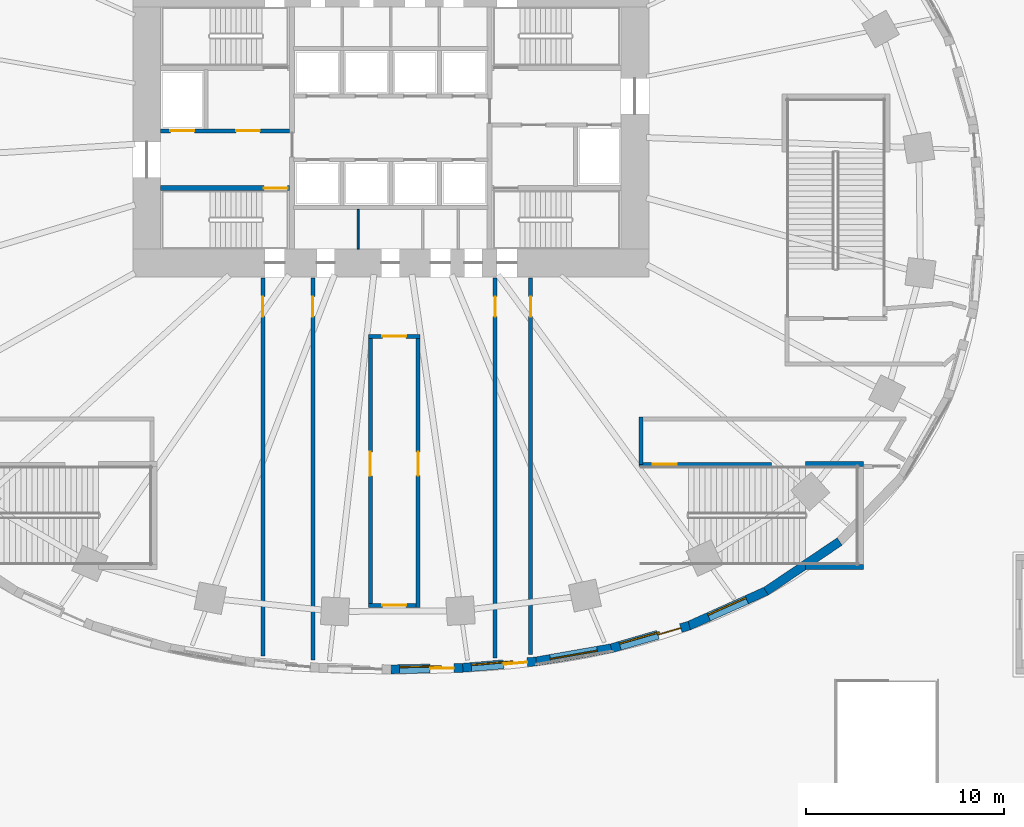
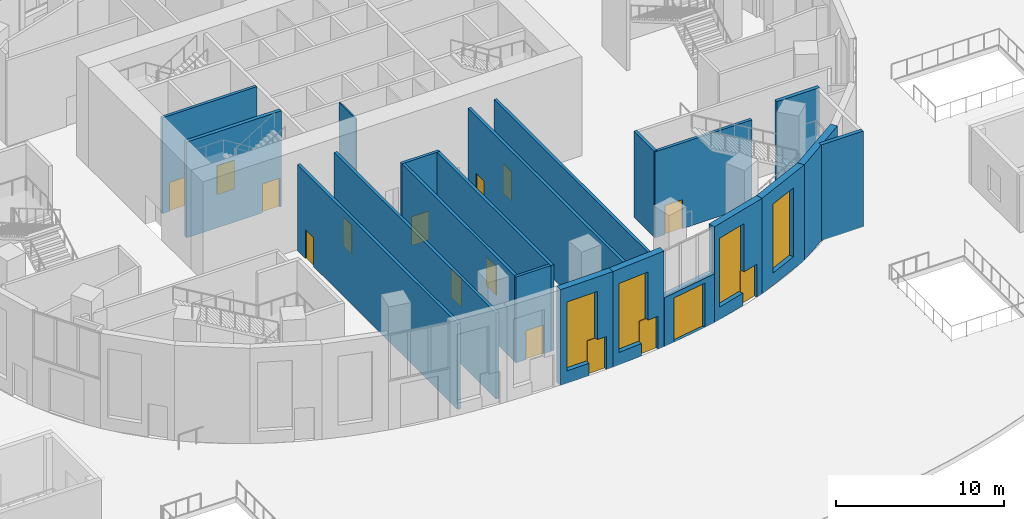
# One storey, part 12 of 27: 21 walls, 16 doors, 4 windows, 20 openings.
"""IFC4 building model written with IfcOpenShell, lengths in metres."""

from ifc_helpers import new_model, si_unit, direction, frame, frame_2d, origin, place, context, subcontext, project, spatial, rectangle, extrude, material, layer, layer_set, type_object, element, fill, save


model = new_model("IFC4")

# Units and contexts
model_context = context("Model", 3, precision=1e-05, world=origin(), true_north=direction((0.0, 1.0)))
body_context = subcontext(model_context, "Body", "Model", "MODEL_VIEW")
ifc_project = project(units=[si_unit("LENGTHUNIT", "METRE"), si_unit("AREAUNIT", "SQUARE_METRE"), si_unit("VOLUMEUNIT", "CUBIC_METRE"), si_unit("PLANEANGLEUNIT", "RADIAN"), si_unit("MASSUNIT", "GRAM", prefix="KILO")], contexts=[model_context])

# Site, building, storey
site_placement = place(None, origin())
site = spatial("IfcSite", under=ifc_project, at=site_placement, CompositionType="ELEMENT")
building_placement = place(site_placement, origin())
building = spatial("IfcBuilding", under=site, at=building_placement, Name="Rubra Terraces Tower", CompositionType="ELEMENT")
storey_placement = place(building_placement, origin())
storey = spatial("IfcBuildingStorey", under=building, at=storey_placement, Name="L00", CompositionType="ELEMENT", Elevation=0.0)

# Wall, openings, door, window
ifc_material_1 = material(Name="Brick masonry red-brown", Category="masonry")
ifc_layer_1 = layer(ifc_material_1, 0.449951171875)
ifc_layer_set_1 = layer_set([ifc_layer_1], Name="Brick masonry red-brown")
wall_type_1 = type_object("IfcWallType", Name="Brick facade wall 450", PredefinedType="SOLIDWALL", material=ifc_layer_set_1)
wall_1_placement = place(storey_placement, frame((-0.0048828125, -22.77490234375, 0.0), z_axis=(0.0, 0.0, 1.0), x_axis=(0.999769941673, 0.0214490962, 0.0)))
wall_1 = element("IfcWall", 1, at=wall_1_placement, inside=storey, type_object=wall_type_1, Name="Facade wall L00 bay 31", PredefinedType="SOLIDWALL", context=body_context, shape_type="SweptSolid", body=[
    extrude(rectangle(XDim=3.630859375, YDim=0.449951171875, at=frame_2d((1.8154296875, 0.0))), origin(), (0.0, 0.0, 1.0), 6.949951171875),
])
opening_1_placement = place(wall_1_placement, frame((0.449951171875, 0.0, 0.89990234375)))
opening_1 = element("IfcOpeningElement", 2, at=opening_1_placement, cuts=wall_1, Name="Opening W2", PredefinedType="OPENING", context=body_context, shape_type="SweptSolid", body=[
    extrude(rectangle(XDim=2.10009765625, YDim=5.0, at=frame_2d((1.050048828125, 2.5))), frame((0.0, 0.23486328125, 0.0), z_axis=(0.0, -1.0, 0.0), x_axis=(1.0, 0.0, 0.0)), (0.0, 0.0, 1.0), 0.469970703125),
])
opening_2_placement = place(wall_1_placement, frame((1.980712890625, 0.0, 0.0)))
opening_2 = element("IfcOpeningElement", 3, at=opening_2_placement, cuts=wall_1, Name="Opening X2.16", PredefinedType="OPENING", context=body_context, shape_type="SweptSolid", body=[
    extrude(rectangle(XDim=1.199951171875, YDim=2.39990234375, at=frame_2d((0.60009765625, 1.199951171875))), frame((0.0, 0.23486328125, 0.0), z_axis=(0.0, -1.0, 0.0), x_axis=(1.0, 0.0, 0.0)), (0.0, 0.0, 1.0), 0.469970703125),
])
ifc_material_2 = material(Name="Glazed aluminium door leaf", Category="aluminium")
door_type_1 = type_object("IfcDoorType", Name="Exit door 1200 x 2400", OperationType="NOTDEFINED", PredefinedType="DOOR", material=ifc_material_2)
door_1_placement = place(opening_2_placement, frame((1.199951171875, 0.0, 0.0), z_axis=(0.0, 0.0, 1.0), x_axis=(-1.0, 0.0, 0.0)))
door_1 = element("IfcDoor", 4, at=door_1_placement, inside=storey, type_object=door_type_1, Name="Exit door 16", OperationType="SINGLE_SWING_LEFT", OverallHeight=2.39990234375, OverallWidth=1.199951171875, PredefinedType="DOOR", context=body_context, shape_type="SweptSolid", body=[
    extrude(rectangle(XDim=1.199951171875, YDim=2.39990234375, at=frame_2d((0.60009765625, 1.199951171875))), frame((0.0, 0.02490234375, 0.0), z_axis=(0.0, -1.0, 0.0), x_axis=(1.0, 0.0, 0.0)), (0.0, 0.0, 1.0), 0.050048828125),
])
fill(opening_2, door_1)
ifc_material_3 = material(Name="Clear glass in aluminium frame", Category="aluminium")
window_type = type_object("IfcWindowType", Name="Ground storey fixed window 2100 x 5000", PartitioningType="SINGLE_PANEL", PredefinedType="WINDOW", material=ifc_material_3)
window_1_placement = place(opening_1_placement, origin())
window_1 = element("IfcWindow", 5, at=window_1_placement, inside=storey, type_object=window_type, Name="Window L00 bay 31", OverallHeight=5.0, OverallWidth=2.10009765625, PartitioningType="SINGLE_PANEL", PredefinedType="WINDOW", context=body_context, shape_type="SweptSolid", body=[
    extrude(rectangle(XDim=2.10009765625, YDim=5.0, at=frame_2d((1.050048828125, 2.5))), frame((0.0, 0.135009765625, 0.0), z_axis=(0.0, -1.0, 0.0), x_axis=(1.0, 0.0, 0.0)), (0.0, 0.0, 1.0), 0.06005859375),
])
fill(opening_1, window_1)

wall_2_placement = place(storey_placement, frame((3.610595703125, -22.69775390625, 0.0), z_axis=(0.0, 0.0, 1.0), x_axis=(0.996259982326, 0.086406293838, 0.0)))
wall_2 = element("IfcWall", 6, at=wall_2_placement, inside=storey, type_object=wall_type_1, Name="Facade wall L00 bay 32", PredefinedType="SOLIDWALL", context=body_context, shape_type="SweptSolid", body=[
    extrude(rectangle(XDim=3.726806640625, YDim=0.449951171875, at=frame_2d((1.86328125, 0.0))), origin(), (0.0, 0.0, 1.0), 6.949951171875),
])
opening_3_placement = place(wall_2_placement, frame((0.449951171875, 0.0, 0.89990234375)))
opening_3 = element("IfcOpeningElement", 7, at=opening_3_placement, cuts=wall_2, Name="Opening W2", PredefinedType="OPENING", context=body_context, shape_type="SweptSolid", body=[
    extrude(rectangle(XDim=2.10009765625, YDim=5.0, at=frame_2d((1.050048828125, 2.5))), frame((0.0, 0.23486328125, 0.0), z_axis=(0.0, -1.0, 0.0), x_axis=(1.0, 0.0, 0.0)), (0.0, 0.0, 1.0), 0.469970703125),
])
opening_4_placement = place(wall_2_placement, frame((2.076904296875, 0.0, 0.0)))
opening_4 = element("IfcOpeningElement", 8, at=opening_4_placement, cuts=wall_2, Name="Opening X2.17", PredefinedType="OPENING", context=body_context, shape_type="SweptSolid", body=[
    extrude(rectangle(XDim=1.199951171875, YDim=2.39990234375, at=frame_2d((0.60009765625, 1.199951171875))), frame((0.0, 0.23486328125, 0.0), z_axis=(0.0, -1.0, 0.0), x_axis=(1.0, 0.0, 0.0)), (0.0, 0.0, 1.0), 0.469970703125),
])
door_2_placement = place(opening_4_placement, frame((1.199951171875, 0.0, 0.0), z_axis=(0.0, 0.0, 1.0), x_axis=(-1.0, 0.0, 0.0)))
door_2 = element("IfcDoor", 9, at=door_2_placement, inside=storey, type_object=door_type_1, Name="Exit door 17", OperationType="SINGLE_SWING_LEFT", OverallHeight=2.39990234375, OverallWidth=1.199951171875, PredefinedType="DOOR", context=body_context, shape_type="SweptSolid", body=[
    extrude(rectangle(XDim=1.199951171875, YDim=2.39990234375, at=frame_2d((0.60009765625, 1.199951171875))), frame((0.0, 0.02490234375, 0.0), z_axis=(0.0, -1.0, 0.0), x_axis=(1.0, 0.0, 0.0)), (0.0, 0.0, 1.0), 0.050048828125),
])
fill(opening_4, door_2)
window_2_placement = place(opening_3_placement, origin())
window_2 = element("IfcWindow", 10, at=window_2_placement, inside=storey, type_object=window_type, Name="Window L00 bay 32", OverallHeight=5.0, OverallWidth=2.10009765625, PartitioningType="SINGLE_PANEL", PredefinedType="WINDOW", context=body_context, shape_type="SweptSolid", body=[
    extrude(rectangle(XDim=2.10009765625, YDim=5.0, at=frame_2d((1.050048828125, 2.5))), frame((0.0, 0.135009765625, 0.0), z_axis=(0.0, -1.0, 0.0), x_axis=(1.0, 0.0, 0.0)), (0.0, 0.0, 1.0), 0.06005859375),
])
fill(opening_3, window_2)

wall_3_placement = place(storey_placement, frame((11.110107421875, -21.7119140625, 0.0), z_axis=(0.0, 0.0, 1.0), x_axis=(0.960186274122, 0.279360553743, 0.0)))
wall_3 = element("IfcWall", 11, at=wall_3_placement, inside=storey, type_object=wall_type_1, Name="Facade wall L00 bay 34", PredefinedType="SOLIDWALL", context=body_context, shape_type="SweptSolid", body=[
    extrude(rectangle(XDim=4.0908203125, YDim=0.449951171875, at=frame_2d((2.04541015625, 0.0))), origin(), (0.0, 0.0, 1.0), 6.949951171875),
])
opening_5_placement = place(wall_3_placement, frame((0.449951171875, 0.0, 0.89990234375)))
opening_5 = element("IfcOpeningElement", 12, at=opening_5_placement, cuts=wall_3, Name="Opening W2", PredefinedType="OPENING", context=body_context, shape_type="SweptSolid", body=[
    extrude(rectangle(XDim=2.10009765625, YDim=5.0, at=frame_2d((1.050048828125, 2.5))), frame((0.0, 0.23486328125, 0.0), z_axis=(0.0, -1.0, 0.0), x_axis=(1.0, 0.0, 0.0)), (0.0, 0.0, 1.0), 0.469970703125),
])
opening_6_placement = place(wall_3_placement, frame((2.44091796875, 0.0, 0.0)))
opening_6 = element("IfcOpeningElement", 13, at=opening_6_placement, cuts=wall_3, Name="Opening X2.18", PredefinedType="OPENING", context=body_context, shape_type="SweptSolid", body=[
    extrude(rectangle(XDim=1.199951171875, YDim=2.39990234375, at=frame_2d((0.60009765625, 1.199951171875))), frame((0.0, 0.23486328125, 0.0), z_axis=(0.0, -1.0, 0.0), x_axis=(1.0, 0.0, 0.0)), (0.0, 0.0, 1.0), 0.469970703125),
])
door_3_placement = place(opening_6_placement, frame((1.199951171875, 0.0, 0.0), z_axis=(0.0, 0.0, 1.0), x_axis=(-1.0, 0.0, 0.0)))
door_3 = element("IfcDoor", 14, at=door_3_placement, inside=storey, type_object=door_type_1, Name="Exit door 18", OperationType="SINGLE_SWING_LEFT", OverallHeight=2.39990234375, OverallWidth=1.199951171875, PredefinedType="DOOR", context=body_context, shape_type="SweptSolid", body=[
    extrude(rectangle(XDim=1.199951171875, YDim=2.39990234375, at=frame_2d((0.60009765625, 1.199951171875))), frame((0.0, 0.02490234375, 0.0), z_axis=(0.0, -1.0, 0.0), x_axis=(1.0, 0.0, 0.0)), (0.0, 0.0, 1.0), 0.050048828125),
])
fill(opening_6, door_3)
window_3_placement = place(opening_5_placement, origin())
window_3 = element("IfcWindow", 15, at=window_3_placement, inside=storey, type_object=window_type, Name="Window L00 bay 34", OverallHeight=5.0, OverallWidth=2.10009765625, PartitioningType="SINGLE_PANEL", PredefinedType="WINDOW", context=body_context, shape_type="SweptSolid", body=[
    extrude(rectangle(XDim=2.10009765625, YDim=5.0, at=frame_2d((1.050048828125, 2.5))), frame((0.0, 0.135009765625, 0.0), z_axis=(0.0, -1.0, 0.0), x_axis=(1.0, 0.0, 0.0)), (0.0, 0.0, 1.0), 0.06005859375),
])
fill(opening_5, window_3)

# Wall, opening, window
wall_4_placement = place(storey_placement, frame((15.009033203125, -20.57958984375, 0.0), z_axis=(0.0, 0.0, 1.0), x_axis=(0.912571415594, 0.408917365052, 0.0)))
wall_4 = element("IfcWall", 16, at=wall_4_placement, inside=storey, type_object=wall_type_1, Name="Facade wall L00 bay 35", PredefinedType="SOLIDWALL", context=body_context, shape_type="SweptSolid", body=[
    extrude(rectangle(XDim=4.301025390625, YDim=0.449951171875, at=frame_2d((2.150390625, 0.0))), origin(), (0.0, 0.0, 1.0), 6.949951171875),
])
opening_7_placement = place(wall_4_placement, frame((1.1005859375, 0.0, 0.89990234375)))
opening_7 = element("IfcOpeningElement", 17, at=opening_7_placement, cuts=wall_4, Name="Opening W2", PredefinedType="OPENING", context=body_context, shape_type="SweptSolid", body=[
    extrude(rectangle(XDim=2.10009765625, YDim=5.0, at=frame_2d((1.050048828125, 2.5))), frame((0.0, 0.23486328125, 0.0), z_axis=(0.0, -1.0, 0.0), x_axis=(1.0, 0.0, 0.0)), (0.0, 0.0, 1.0), 0.469970703125),
])
window_4_placement = place(opening_7_placement, origin())
window_4 = element("IfcWindow", 18, at=window_4_placement, inside=storey, type_object=window_type, Name="Window L00 bay 35", OverallHeight=5.0, OverallWidth=2.10009765625, PartitioningType="SINGLE_PANEL", PredefinedType="WINDOW", context=body_context, shape_type="SweptSolid", body=[
    extrude(rectangle(XDim=2.10009765625, YDim=5.0, at=frame_2d((1.050048828125, 2.5))), frame((0.0, 0.135009765625, 0.0), z_axis=(0.0, -1.0, 0.0), x_axis=(1.0, 0.0, 0.0)), (0.0, 0.0, 1.0), 0.06005859375),
])
fill(opening_7, window_4)

# Wall
wall_5_placement = place(storey_placement, frame((18.900146484375, -18.839599609375, 0.0), z_axis=(0.0, 0.0, 1.0), x_axis=(0.828976924359, 0.559282807604, 0.0)))
element("IfcWall", 19, at=wall_5_placement, inside=storey, type_object=wall_type_1, Name="Facade wall L00 bay 36", PredefinedType="SOLIDWALL", context=body_context, shape_type="SweptSolid", body=[
    extrude(rectangle(XDim=4.479248046875, YDim=0.449951171875, at=frame_2d((2.23974609375, 0.0))), origin(), (0.0, 0.0, 1.0), 6.949951171875),
])

# Wall, opening, door
ifc_layer_2 = layer(ifc_material_1, 0.449951171875)
ifc_layer_set_2 = layer_set([ifc_layer_2], Name="Brick masonry red-brown")
wall_type_2 = type_object("IfcWallType", Name="Brick wall under entrance screen 450", PredefinedType="SOLIDWALL", material=ifc_layer_set_2)
wall_6_placement = place(storey_placement, frame((7.30419921875, -22.37841796875, 0.0), z_axis=(0.0, 0.0, 1.0), x_axis=(0.984947461591, 0.172853978566, 0.0)))
wall_6 = element("IfcWall", 20, at=wall_6_placement, inside=storey, type_object=wall_type_2, Name="Facade wall L00 bay 33", PredefinedType="SOLIDWALL", context=body_context, shape_type="SweptSolid", body=[
    extrude(rectangle(XDim=3.888427734375, YDim=0.449951171875, at=frame_2d((1.9443359375, 0.0))), origin(), (0.0, 0.0, 1.0), 3.550048828125),
])
opening_8_placement = place(wall_6_placement, frame((0.744384765625, 0.0, 0.0)))
opening_8 = element("IfcOpeningElement", 21, at=opening_8_placement, cuts=wall_6, Name="Opening X1.07", PredefinedType="OPENING", context=body_context, shape_type="SweptSolid", body=[
    extrude(rectangle(XDim=2.39990234375, YDim=3.199951171875, at=frame_2d((1.199951171875, 1.60009765625))), frame((0.0, 0.23486328125, 0.0), z_axis=(0.0, -1.0, 0.0), x_axis=(1.0, 0.0, 0.0)), (0.0, 0.0, 1.0), 0.469970703125),
])
door_type_2 = type_object("IfcDoorType", Name="Entrance double door 2400 x 3200", OperationType="DOUBLE_DOOR_DOUBLE_SWING", PredefinedType="DOOR", material=ifc_material_2)
door_4_placement = place(opening_8_placement, origin())
door_4 = element("IfcDoor", 22, at=door_4_placement, inside=storey, type_object=door_type_2, Name="Entrance double door 7", OperationType="DOUBLE_DOOR_DOUBLE_SWING", OverallHeight=3.199951171875, OverallWidth=2.39990234375, PredefinedType="DOOR", context=body_context, shape_type="SweptSolid", body=[
    extrude(rectangle(XDim=2.39990234375, YDim=3.199951171875, at=frame_2d((1.199951171875, 1.60009765625))), frame((0.0, 0.02490234375, 0.0), z_axis=(0.0, -1.0, 0.0), x_axis=(1.0, 0.0, 0.0)), (0.0, 0.0, 1.0), 0.050048828125),
])
fill(opening_8, door_4)

# Wall, openings, doors
ifc_material_4 = material(Name="Concrete C30", Category="concrete")
ifc_layer_3 = layer(ifc_material_4, 0.199951171875)
ifc_layer_set_3 = layer_set([ifc_layer_3], Name="Concrete C30")
wall_type_3 = type_object("IfcWallType", Name="Core wall 200 concrete", PredefinedType="SOLIDWALL", material=ifc_layer_set_3)
wall_7_placement = place(storey_placement, frame((-11.60009765625, 4.35009765625, 0.0), z_axis=(0.0, 0.0, 1.0), x_axis=(1.0, 0.0, 0.0)))
wall_7 = element("IfcWall", 23, at=wall_7_placement, inside=storey, type_object=wall_type_3, Name="STAIR WALL L00", PredefinedType="SOLIDWALL", context=body_context, shape_type="SweptSolid", body=[
    extrude(rectangle(XDim=6.5, YDim=0.199951171875, at=frame_2d((3.25, 0.0))), origin(), (0.0, 0.0, 1.0), 6.949951171875),
])
opening_9_placement = place(wall_7_placement, frame((3.800048828125, 0.0, 0.0)))
opening_9 = element("IfcOpeningElement", 24, at=opening_9_placement, cuts=wall_7, Name="Opening L00.C05", PredefinedType="OPENING", context=body_context, shape_type="SweptSolid", body=[
    extrude(rectangle(XDim=1.199951171875, YDim=2.10009765625, at=frame_2d((0.60009765625, 1.050048828125))), frame((0.0, 0.10986328125, 0.0), z_axis=(0.0, -1.0, 0.0), x_axis=(1.0, 0.0, 0.0)), (0.0, 0.0, 1.0), 0.219970703125),
])
opening_10_placement = place(wall_7_placement, frame((0.5, 0.0, 0.0)))
opening_10 = element("IfcOpeningElement", 25, at=opening_10_placement, cuts=wall_7, Name="Opening L00.C11", PredefinedType="OPENING", context=body_context, shape_type="SweptSolid", body=[
    extrude(rectangle(XDim=1.199951171875, YDim=2.10009765625, at=frame_2d((0.60009765625, 1.050048828125))), frame((0.0, 0.10986328125, 0.0), z_axis=(0.0, -1.0, 0.0), x_axis=(1.0, 0.0, 0.0)), (0.0, 0.0, 1.0), 0.219970703125),
])
ifc_material_5 = material(Name="Painted steel", Category="steel")
door_type_3 = type_object("IfcDoorType", Name="Fire door 1200x2100 single", OperationType="NOTDEFINED", PredefinedType="DOOR", material=ifc_material_5)
door_5_placement = place(opening_9_placement, origin())
door_5 = element("IfcDoor", 26, at=door_5_placement, inside=storey, type_object=door_type_3, Name="Stair vestibule door S2", OperationType="SINGLE_SWING_LEFT", OverallHeight=2.10009765625, OverallWidth=1.199951171875, PredefinedType="DOOR", context=body_context, shape_type="SweptSolid", body=[
    extrude(rectangle(XDim=1.199951171875, YDim=2.10009765625, at=frame_2d((0.60009765625, 1.050048828125))), frame((0.0, 0.02490234375, 0.0), z_axis=(0.0, -1.0, 0.0), x_axis=(1.0, 0.0, 0.0)), (0.0, 0.0, 1.0), 0.050048828125),
])
fill(opening_9, door_5)
ifc_material_6 = material(Name="Stainless steel", Category="steel")
door_type_4 = type_object("IfcDoorType", Name="Lift landing door 1200x2100", OperationType="NOTDEFINED", PredefinedType="DOOR", material=ifc_material_6)
door_6_placement = place(opening_10_placement, origin())
door_6 = element("IfcDoor", 27, at=door_6_placement, inside=storey, type_object=door_type_4, Name="Landing door FF1", OperationType="SLIDING_TO_RIGHT", OverallHeight=2.10009765625, OverallWidth=1.199951171875, PredefinedType="DOOR", context=body_context, shape_type="SweptSolid", body=[
    extrude(rectangle(XDim=1.199951171875, YDim=2.10009765625, at=frame_2d((0.60009765625, 1.050048828125))), frame((0.0, 0.02490234375, 0.0), z_axis=(0.0, -1.0, 0.0), x_axis=(1.0, 0.0, 0.0)), (0.0, 0.0, 1.0), 0.050048828125),
])
fill(opening_10, door_6)

# Wall, opening, door
ifc_material_7 = material(Name="Blockwork", Category="masonry")
ifc_layer_4 = layer(ifc_material_7, 0.199951171875)
ifc_layer_set_4 = layer_set([ifc_layer_4], Name="Blockwork")
wall_type_4 = type_object("IfcWallType", Name="Corridor partition 200 blockwork", PredefinedType="PARTITIONING", material=ifc_layer_set_4)
wall_8_placement = place(storey_placement, frame((-3.926025390625, -3.050048828125, 0.0), z_axis=(0.0, 0.0, 1.0), x_axis=(0.0, -1.0, 0.0)))
wall_8 = element("IfcWall", 28, at=wall_8_placement, inside=storey, type_object=wall_type_4, Name="Partition wall", PredefinedType="PARTITIONING", context=body_context, shape_type="SweptSolid", body=[
    extrude(rectangle(XDim=19.251953125, YDim=0.199951171875, at=frame_2d((9.6259765625, 0.0))), origin(), (0.0, 0.0, 1.0), 6.22998046875),
])
opening_11_placement = place(wall_8_placement, frame((0.949951171875, 0.0, 0.0)))
opening_11 = element("IfcOpeningElement", 29, at=opening_11_placement, cuts=wall_8, Name="Opening DB1", PredefinedType="OPENING", context=body_context, shape_type="SweptSolid", body=[
    extrude(rectangle(XDim=1.0, YDim=2.10009765625, at=frame_2d((0.5, 1.050048828125))), frame((0.0, 0.10986328125, 0.0), z_axis=(0.0, -1.0, 0.0), x_axis=(1.0, 0.0, 0.0)), (0.0, 0.0, 1.0), 0.219970703125),
])
ifc_material_8 = material(Name="Painted timber", Category="wood")
door_type_5 = type_object("IfcDoorType", Name="Door 1000x2100 single", OperationType="NOTDEFINED", PredefinedType="DOOR", material=ifc_material_8)
door_7_placement = place(opening_11_placement, origin())
door_7 = element("IfcDoor", 30, at=door_7_placement, inside=storey, type_object=door_type_5, Name="Door L00-01", OperationType="SINGLE_SWING_LEFT", OverallHeight=2.10009765625, OverallWidth=1.0, PredefinedType="DOOR", context=body_context, shape_type="SweptSolid", body=[
    extrude(rectangle(XDim=1.0, YDim=2.10009765625, at=frame_2d((0.5, 1.050048828125))), frame((0.0, 0.02490234375, 0.0), z_axis=(0.0, -1.0, 0.0), x_axis=(1.0, 0.0, 0.0)), (0.0, 0.0, 1.0), 0.050048828125),
])
fill(opening_11, door_7)

wall_9_placement = place(storey_placement, frame((-6.449951171875, -22.096923828125, 0.0), z_axis=(0.0, 0.0, 1.0), x_axis=(0.0, 1.0, 0.0)))
wall_9 = element("IfcWall", 31, at=wall_9_placement, inside=storey, type_object=wall_type_4, Name="Partition wall", PredefinedType="PARTITIONING", context=body_context, shape_type="SweptSolid", body=[
    extrude(rectangle(XDim=19.046875, YDim=0.199951171875, at=frame_2d((9.5234375, 0.0))), origin(), (0.0, 0.0, 1.0), 6.22998046875),
])
opening_12_placement = place(wall_9_placement, frame((17.096923828125, 0.0, 0.0)))
opening_12 = element("IfcOpeningElement", 32, at=opening_12_placement, cuts=wall_9, Name="Opening DB1", PredefinedType="OPENING", context=body_context, shape_type="SweptSolid", body=[
    extrude(rectangle(XDim=1.0, YDim=2.10009765625, at=frame_2d((0.5, 1.050048828125))), frame((0.0, 0.10986328125, 0.0), z_axis=(0.0, -1.0, 0.0), x_axis=(1.0, 0.0, 0.0)), (0.0, 0.0, 1.0), 0.219970703125),
])
door_8_placement = place(opening_12_placement, origin())
door_8 = element("IfcDoor", 33, at=door_8_placement, inside=storey, type_object=door_type_5, Name="Door L00-02", OperationType="SINGLE_SWING_LEFT", OverallHeight=2.10009765625, OverallWidth=1.0, PredefinedType="DOOR", context=body_context, shape_type="SweptSolid", body=[
    extrude(rectangle(XDim=1.0, YDim=2.10009765625, at=frame_2d((0.5, 1.050048828125))), frame((0.0, 0.02490234375, 0.0), z_axis=(0.0, -1.0, 0.0), x_axis=(1.0, 0.0, 0.0)), (0.0, 0.0, 1.0), 0.050048828125),
])
fill(opening_12, door_8)

wall_10_placement = place(storey_placement, frame((7.047119140625, -3.050048828125, 0.0), z_axis=(0.0, 0.0, 1.0), x_axis=(0.0, -1.0, 0.0)))
wall_10 = element("IfcWall", 34, at=wall_10_placement, inside=storey, type_object=wall_type_4, Name="Partition wall", PredefinedType="PARTITIONING", context=body_context, shape_type="SweptSolid", body=[
    extrude(rectangle(XDim=18.97998046875, YDim=0.199951171875, at=frame_2d((9.489990234375, 0.0))), origin(), (0.0, 0.0, 1.0), 6.22998046875),
])
opening_13_placement = place(wall_10_placement, frame((0.949951171875, 0.0, 0.0)))
opening_13 = element("IfcOpeningElement", 35, at=opening_13_placement, cuts=wall_10, Name="Opening DB1", PredefinedType="OPENING", context=body_context, shape_type="SweptSolid", body=[
    extrude(rectangle(XDim=1.0, YDim=2.10009765625, at=frame_2d((0.5, 1.050048828125))), frame((0.0, 0.10986328125, 0.0), z_axis=(0.0, -1.0, 0.0), x_axis=(1.0, 0.0, 0.0)), (0.0, 0.0, 1.0), 0.219970703125),
])
door_9_placement = place(opening_13_placement, origin())
door_9 = element("IfcDoor", 36, at=door_9_placement, inside=storey, type_object=door_type_5, Name="Door L00-03", OperationType="SINGLE_SWING_LEFT", OverallHeight=2.10009765625, OverallWidth=1.0, PredefinedType="DOOR", context=body_context, shape_type="SweptSolid", body=[
    extrude(rectangle(XDim=1.0, YDim=2.10009765625, at=frame_2d((0.5, 1.050048828125))), frame((0.0, 0.02490234375, 0.0), z_axis=(0.0, -1.0, 0.0), x_axis=(1.0, 0.0, 0.0)), (0.0, 0.0, 1.0), 0.050048828125),
])
fill(opening_13, door_9)

wall_11_placement = place(storey_placement, frame((5.25, -22.2099609375, 0.0), z_axis=(0.0, 0.0, 1.0), x_axis=(0.0, 1.0, 0.0)))
wall_11 = element("IfcWall", 37, at=wall_11_placement, inside=storey, type_object=wall_type_4, Name="Partition wall", PredefinedType="PARTITIONING", context=body_context, shape_type="SweptSolid", body=[
    extrude(rectangle(XDim=19.159912109375, YDim=0.199951171875, at=frame_2d((9.580078125, 0.0))), origin(), (0.0, 0.0, 1.0), 6.22998046875),
])
opening_14_placement = place(wall_11_placement, frame((17.2099609375, 0.0, 0.0)))
opening_14 = element("IfcOpeningElement", 38, at=opening_14_placement, cuts=wall_11, Name="Opening DB1", PredefinedType="OPENING", context=body_context, shape_type="SweptSolid", body=[
    extrude(rectangle(XDim=1.0, YDim=2.10009765625, at=frame_2d((0.5, 1.050048828125))), frame((0.0, 0.10986328125, 0.0), z_axis=(0.0, -1.0, 0.0), x_axis=(1.0, 0.0, 0.0)), (0.0, 0.0, 1.0), 0.219970703125),
])
door_10_placement = place(opening_14_placement, origin())
door_10 = element("IfcDoor", 39, at=door_10_placement, inside=storey, type_object=door_type_5, Name="Door L00-04", OperationType="SINGLE_SWING_LEFT", OverallHeight=2.10009765625, OverallWidth=1.0, PredefinedType="DOOR", context=body_context, shape_type="SweptSolid", body=[
    extrude(rectangle(XDim=1.0, YDim=2.10009765625, at=frame_2d((0.5, 1.050048828125))), frame((0.0, 0.02490234375, 0.0), z_axis=(0.0, -1.0, 0.0), x_axis=(1.0, 0.0, 0.0)), (0.0, 0.0, 1.0), 0.050048828125),
])
fill(opening_14, door_10)

wall_12_placement = place(storey_placement, frame((19.179931640625, -12.449951171875, 0.0), z_axis=(0.0, 0.0, 1.0), x_axis=(-1.0, 0.0, 0.0)))
wall_12 = element("IfcWall", 40, at=wall_12_placement, inside=storey, type_object=wall_type_4, Name="Partition wall", PredefinedType="PARTITIONING", context=body_context, shape_type="SweptSolid", body=[
    extrude(rectangle(XDim=6.679931640625, YDim=0.199951171875, at=frame_2d((3.33984375, 0.0))), origin(), (0.0, 0.0, 1.0), 6.22998046875),
])
opening_15_placement = place(wall_12_placement, frame((4.780029296875, 0.0, 0.0)))
opening_15 = element("IfcOpeningElement", 41, at=opening_15_placement, cuts=wall_12, Name="Opening DB7", PredefinedType="OPENING", context=body_context, shape_type="SweptSolid", body=[
    extrude(rectangle(XDim=1.199951171875, YDim=2.10009765625, at=frame_2d((0.60009765625, 1.050048828125))), frame((0.0, 0.10986328125, 0.0), z_axis=(0.0, -1.0, 0.0), x_axis=(1.0, 0.0, 0.0)), (0.0, 0.0, 1.0), 0.219970703125),
])
door_type_6 = type_object("IfcDoorType", Name="Door 1200x2100 single", OperationType="NOTDEFINED", PredefinedType="DOOR", material=ifc_material_8)
door_11_placement = place(opening_15_placement, origin())
door_11 = element("IfcDoor", 42, at=door_11_placement, inside=storey, type_object=door_type_6, Name="Stair door L00-14", OperationType="SINGLE_SWING_LEFT", OverallHeight=2.10009765625, OverallWidth=1.199951171875, PredefinedType="DOOR", context=body_context, shape_type="SweptSolid", body=[
    extrude(rectangle(XDim=1.199951171875, YDim=2.10009765625, at=frame_2d((0.60009765625, 1.050048828125))), frame((0.0, 0.02490234375, 0.0), z_axis=(0.0, -1.0, 0.0), x_axis=(1.0, 0.0, 0.0)), (0.0, 0.0, 1.0), 0.050048828125),
])
fill(opening_15, door_11)

# Wall
wall_13_placement = place(storey_placement, frame((12.60009765625, -12.449951171875, 0.0), z_axis=(0.0, 0.0, 1.0), x_axis=(0.0, 1.0, 0.0)))
element("IfcWall", 43, at=wall_13_placement, inside=storey, type_object=wall_type_4, Name="Partition wall", PredefinedType="PARTITIONING", context=body_context, shape_type="SweptSolid", body=[
    extrude(rectangle(XDim=2.39990234375, YDim=0.199951171875, at=frame_2d((1.199951171875, 0.0))), origin(), (0.0, 0.0, 1.0), 6.22998046875),
])

# Wall, opening, door
wall_14_placement = place(storey_placement, frame((-1.1279296875, -6.0, 0.0), z_axis=(0.0, 0.0, 1.0), x_axis=(1.0, 0.0, 0.0)))
wall_14 = element("IfcWall", 44, at=wall_14_placement, inside=storey, type_object=wall_type_4, Name="Partition wall", PredefinedType="PARTITIONING", context=body_context, shape_type="SweptSolid", body=[
    extrude(rectangle(XDim=2.599853515625, YDim=0.199951171875, at=frame_2d((1.2998046875, 0.0))), origin(), (0.0, 0.0, 1.0), 6.22998046875),
])
opening_16_placement = place(wall_14_placement, frame((0.699951171875, 0.0, 0.0)))
opening_16 = element("IfcOpeningElement", 45, at=opening_16_placement, cuts=wall_14, Name="Opening DB7", PredefinedType="OPENING", context=body_context, shape_type="SweptSolid", body=[
    extrude(rectangle(XDim=1.199951171875, YDim=2.10009765625, at=frame_2d((0.60009765625, 1.050048828125))), frame((0.0, 0.10986328125, 0.0), z_axis=(0.0, -1.0, 0.0), x_axis=(1.0, 0.0, 0.0)), (0.0, 0.0, 1.0), 0.219970703125),
])
door_12_placement = place(opening_16_placement, origin())
door_12 = element("IfcDoor", 46, at=door_12_placement, inside=storey, type_object=door_type_6, Name="Door L00-09", OperationType="SINGLE_SWING_LEFT", OverallHeight=2.10009765625, OverallWidth=1.199951171875, PredefinedType="DOOR", context=body_context, shape_type="SweptSolid", body=[
    extrude(rectangle(XDim=1.199951171875, YDim=2.10009765625, at=frame_2d((0.60009765625, 1.050048828125))), frame((0.0, 0.02490234375, 0.0), z_axis=(0.0, -1.0, 0.0), x_axis=(1.0, 0.0, 0.0)), (0.0, 0.0, 1.0), 0.050048828125),
])
fill(opening_16, door_12)

wall_15_placement = place(storey_placement, frame((1.3720703125, -6.10009765625, 0.0), z_axis=(0.0, 0.0, 1.0), x_axis=(0.0, -1.0, 0.0)))
wall_15 = element("IfcWall", 47, at=wall_15_placement, inside=storey, type_object=wall_type_4, Name="Partition wall", PredefinedType="PARTITIONING", context=body_context, shape_type="SweptSolid", body=[
    extrude(rectangle(XDim=13.5458984375, YDim=0.199951171875, at=frame_2d((6.77294921875, 0.0))), origin(), (0.0, 0.0, 1.0), 6.22998046875),
])
opening_17_placement = place(wall_15_placement, frame((5.717041015625, 0.0, 0.0)))
opening_17 = element("IfcOpeningElement", 48, at=opening_17_placement, cuts=wall_15, Name="Opening DB7", PredefinedType="OPENING", context=body_context, shape_type="SweptSolid", body=[
    extrude(rectangle(XDim=1.199951171875, YDim=2.10009765625, at=frame_2d((0.60009765625, 1.050048828125))), frame((0.0, 0.10986328125, 0.0), z_axis=(0.0, -1.0, 0.0), x_axis=(1.0, 0.0, 0.0)), (0.0, 0.0, 1.0), 0.219970703125),
])
door_13_placement = place(opening_17_placement, origin())
door_13 = element("IfcDoor", 49, at=door_13_placement, inside=storey, type_object=door_type_6, Name="Door L00-19", OperationType="SINGLE_SWING_LEFT", OverallHeight=2.10009765625, OverallWidth=1.199951171875, PredefinedType="DOOR", context=body_context, shape_type="SweptSolid", body=[
    extrude(rectangle(XDim=1.199951171875, YDim=2.10009765625, at=frame_2d((0.60009765625, 1.050048828125))), frame((0.0, 0.02490234375, 0.0), z_axis=(0.0, -1.0, 0.0), x_axis=(1.0, 0.0, 0.0)), (0.0, 0.0, 1.0), 0.050048828125),
])
fill(opening_17, door_13)

wall_16_placement = place(storey_placement, frame((1.27197265625, -19.5458984375, 0.0), z_axis=(0.0, 0.0, 1.0), x_axis=(-1.0, 0.0, 0.0)))
wall_16 = element("IfcWall", 50, at=wall_16_placement, inside=storey, type_object=wall_type_4, Name="Partition wall", PredefinedType="PARTITIONING", context=body_context, shape_type="SweptSolid", body=[
    extrude(rectangle(XDim=2.39990234375, YDim=0.199951171875, at=frame_2d((1.199951171875, 0.0))), origin(), (0.0, 0.0, 1.0), 6.22998046875),
])
opening_18_placement = place(wall_16_placement, frame((0.5, 0.0, 0.0)))
opening_18 = element("IfcOpeningElement", 51, at=opening_18_placement, cuts=wall_16, Name="Opening DB7", PredefinedType="OPENING", context=body_context, shape_type="SweptSolid", body=[
    extrude(rectangle(XDim=1.199951171875, YDim=2.10009765625, at=frame_2d((0.60009765625, 1.050048828125))), frame((0.0, 0.10986328125, 0.0), z_axis=(0.0, -1.0, 0.0), x_axis=(1.0, 0.0, 0.0)), (0.0, 0.0, 1.0), 0.219970703125),
])
door_14_placement = place(opening_18_placement, origin())
door_14 = element("IfcDoor", 52, at=door_14_placement, inside=storey, type_object=door_type_6, Name="Door L00-10", OperationType="SINGLE_SWING_LEFT", OverallHeight=2.10009765625, OverallWidth=1.199951171875, PredefinedType="DOOR", context=body_context, shape_type="SweptSolid", body=[
    extrude(rectangle(XDim=1.199951171875, YDim=2.10009765625, at=frame_2d((0.60009765625, 1.050048828125))), frame((0.0, 0.02490234375, 0.0), z_axis=(0.0, -1.0, 0.0), x_axis=(1.0, 0.0, 0.0)), (0.0, 0.0, 1.0), 0.050048828125),
])
fill(opening_18, door_14)

wall_17_placement = place(storey_placement, frame((-1.028076171875, -19.446044921875, 0.0), z_axis=(0.0, 0.0, 1.0), x_axis=(0.0, 1.0, 0.0)))
wall_17 = element("IfcWall", 53, at=wall_17_placement, inside=storey, type_object=wall_type_4, Name="Partition wall", PredefinedType="PARTITIONING", context=body_context, shape_type="SweptSolid", body=[
    extrude(rectangle(XDim=13.345947265625, YDim=0.199951171875, at=frame_2d((6.6728515625, 0.0))), origin(), (0.0, 0.0, 1.0), 6.22998046875),
])
opening_19_placement = place(wall_17_placement, frame((6.423095703125, 0.0, 0.0)))
opening_19 = element("IfcOpeningElement", 54, at=opening_19_placement, cuts=wall_17, Name="Opening DB7", PredefinedType="OPENING", context=body_context, shape_type="SweptSolid", body=[
    extrude(rectangle(XDim=1.199951171875, YDim=2.10009765625, at=frame_2d((0.60009765625, 1.050048828125))), frame((0.0, 0.10986328125, 0.0), z_axis=(0.0, -1.0, 0.0), x_axis=(1.0, 0.0, 0.0)), (0.0, 0.0, 1.0), 0.219970703125),
])
door_15_placement = place(opening_19_placement, origin())
door_15 = element("IfcDoor", 55, at=door_15_placement, inside=storey, type_object=door_type_6, Name="Door L00-20", OperationType="SINGLE_SWING_LEFT", OverallHeight=2.10009765625, OverallWidth=1.199951171875, PredefinedType="DOOR", context=body_context, shape_type="SweptSolid", body=[
    extrude(rectangle(XDim=1.199951171875, YDim=2.10009765625, at=frame_2d((0.60009765625, 1.050048828125))), frame((0.0, 0.02490234375, 0.0), z_axis=(0.0, -1.0, 0.0), x_axis=(1.0, 0.0, 0.0)), (0.0, 0.0, 1.0), 0.050048828125),
])
fill(opening_19, door_15)

# Wall
ifc_layer_5 = layer(ifc_material_7, 0.10009765625)
ifc_layer_set_5 = layer_set([ifc_layer_5], Name="Blockwork")
wall_type_5 = type_object("IfcWallType", Name="Service partition 100 blockwork", PredefinedType="PARTITIONING", material=ifc_layer_set_5)
wall_18_placement = place(storey_placement, frame((-1.64990234375, -1.60009765625, 0.0), z_axis=(0.0, 0.0, 1.0), x_axis=(0.0, 1.0, 0.0)))
element("IfcWall", 56, at=wall_18_placement, inside=storey, type_object=wall_type_5, Name="SERVICE ROOM PARTITION L00", PredefinedType="PARTITIONING", context=body_context, shape_type="SweptSolid", body=[
    extrude(rectangle(XDim=2.0, YDim=0.10009765625, at=frame_2d((1.0, 0.0))), origin(), (0.0, 0.0, 1.0), 6.949951171875),
])

# Wall, opening, door
ifc_material_9 = material(Name="Concrete C40", Category="concrete")
ifc_layer_6 = layer(ifc_material_9, 0.25)
ifc_layer_set_6 = layer_set([ifc_layer_6], Name="Concrete C40")
wall_type_6 = type_object("IfcWallType", Name="Stair enclosure wall 250 concrete", PredefinedType="SOLIDWALL", material=ifc_layer_set_6)
wall_19_placement = place(storey_placement, frame((-11.60009765625, 1.47509765625, 0.0), z_axis=(0.0, 0.0, 1.0), x_axis=(1.0, 0.0, 0.0)))
wall_19 = element("IfcWall", 57, at=wall_19_placement, inside=storey, type_object=wall_type_6, Name="STAIR WALL L00", PredefinedType="SOLIDWALL", context=body_context, shape_type="SweptSolid", body=[
    extrude(rectangle(XDim=6.5, YDim=0.25, at=frame_2d((3.25, 0.0))), origin(), (0.0, 0.0, 1.0), 6.949951171875),
])
opening_20_placement = place(wall_19_placement, frame((5.199951171875, 0.0, 0.0)))
opening_20 = element("IfcOpeningElement", 58, at=opening_20_placement, cuts=wall_19, Name="Opening L00.C07", PredefinedType="OPENING", context=body_context, shape_type="SweptSolid", body=[
    extrude(rectangle(XDim=1.199951171875, YDim=2.10009765625, at=frame_2d((0.60009765625, 1.050048828125))), frame((0.0, 0.135009765625, 0.0), z_axis=(0.0, -1.0, 0.0), x_axis=(1.0, 0.0, 0.0)), (0.0, 0.0, 1.0), 0.27001953125),
])
door_16_placement = place(opening_20_placement, origin())
door_16 = element("IfcDoor", 59, at=door_16_placement, inside=storey, type_object=door_type_3, Name="Stair door S1", OperationType="SINGLE_SWING_LEFT", OverallHeight=2.10009765625, OverallWidth=1.199951171875, PredefinedType="DOOR", context=body_context, shape_type="SweptSolid", body=[
    extrude(rectangle(XDim=1.199951171875, YDim=2.10009765625, at=frame_2d((0.60009765625, 1.050048828125))), frame((0.0, 0.02490234375, 0.0), z_axis=(0.0, -1.0, 0.0), x_axis=(1.0, 0.0, 0.0)), (0.0, 0.0, 1.0), 0.050048828125),
])
fill(opening_20, door_16)

# Walls
ifc_material_10 = material(Name="Concrete C40/50", Category="concrete")
ifc_layer_7 = layer(ifc_material_10, 0.25)
ifc_layer_set_7 = layer_set([ifc_layer_7], Name="Concrete C40/50")
wall_type_7 = type_object("IfcWallType", Name="Stair end wall 250 concrete", PredefinedType="SOLIDWALL", material=ifc_layer_set_7)
for number, where, z_axis, x_axis, name in (
    (60, (20.8798828125, -17.625, 0.0), (0.0, 0.0, 1.0), (1.0, 0.0, 0.0), "Stair end wall"),
    (61, (20.8798828125, -12.425048828125, 0.0), (0.0, 0.0, 1.0), (1.0, 0.0, 0.0), "Stair end wall"),
):
    element("IfcWall", number, at=place(storey_placement, frame(where, z_axis=z_axis, x_axis=x_axis)), inside=storey, type_object=wall_type_7, Name=name, PredefinedType="SOLIDWALL", context=body_context, shape_type="SweptSolid", body=[
        extrude(rectangle(XDim=2.93017578125, YDim=0.25, at=frame_2d((1.465087890625, 0.0))), origin(), (0.0, 0.0, 1.0), 6.949951171875),
    ])

save(model, "model.ifc")
